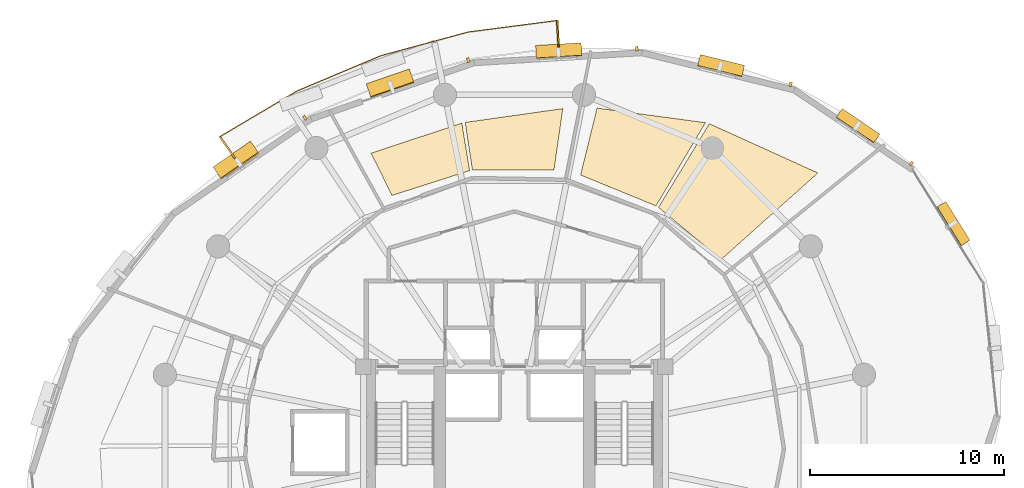
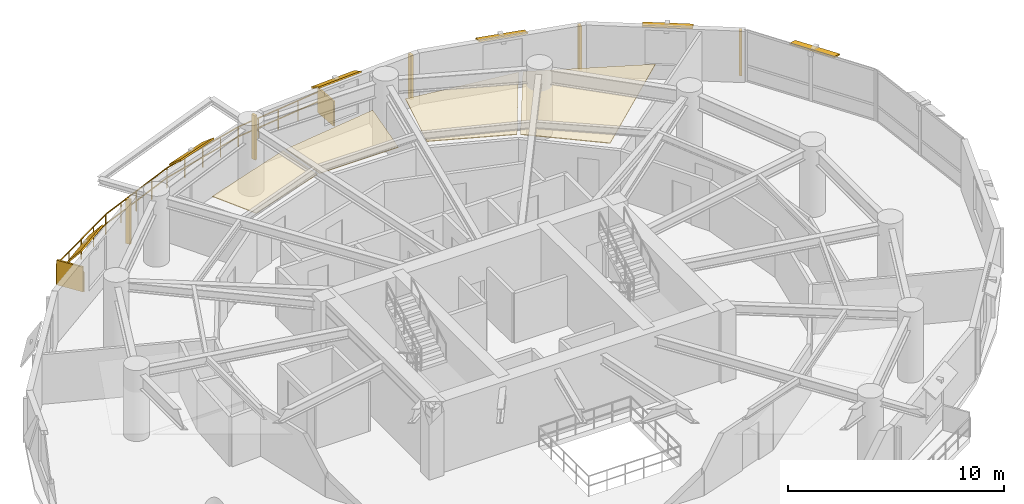
# One storey, part 15 of 15: 13 shading devices, 4 coverings, 1 railing.
"""IFC4 building model written with IfcOpenShell, lengths in metres."""

from ifc_helpers import new_model, si_unit, direction, frame, origin, origin_2d, place, context, subcontext, project, spatial, polyline, rectangle, outline, extrude, material, layer, layer_set, type_object, element, save


model = new_model("IFC4")

# Units and contexts
model_context = context("Model", 3, precision=1e-05, world=origin(), true_north=direction((0.0, 1.0)))
body_context = subcontext(model_context, "Body", "Model", "MODEL_VIEW")
ifc_project = project(units=[si_unit("LENGTHUNIT", "METRE"), si_unit("AREAUNIT", "SQUARE_METRE"), si_unit("VOLUMEUNIT", "CUBIC_METRE"), si_unit("PLANEANGLEUNIT", "RADIAN"), si_unit("MASSUNIT", "GRAM", prefix="KILO"), si_unit("THERMODYNAMICTEMPERATUREUNIT", "KELVIN"), si_unit("POWERUNIT", "WATT")], contexts=[model_context])

# Site, building, storey
site_placement = place(None, origin())
site = spatial("IfcSite", under=ifc_project, at=site_placement, CompositionType="ELEMENT")
building_placement = place(site_placement, origin())
building = spatial("IfcBuilding", under=site, at=building_placement, Name="Ocrelia Relay Tower", CompositionType="ELEMENT")
storey_placement = place(building_placement, frame((0.0, 0.0, 113.800048828125)))
storey = spatial("IfcBuildingStorey", under=building, at=storey_placement, Name="L26", CompositionType="ELEMENT", Elevation=113.800048828125)

# Coverings
ifc_material_1 = material(Name="Mineral-fiber acoustic ceiling tile", Category="gypsum")
ifc_layer_1 = layer(ifc_material_1, 0.0400390625, Name="Mineral-fiber acoustic ceiling tile")
ifc_layer_set_1 = layer_set([ifc_layer_1], Name="Mineral-fiber acoustic ceiling tile")
covering_type_1 = type_object("IfcCoveringType", Name="COV-CEIL-ACOUSTIC", PredefinedType="CEILING", material=ifc_layer_set_1)
covering_1_placement = place(storey_placement, frame((0.0, 0.0, 2.719970703125)))
element("IfcCovering", 1, at=covering_1_placement, inside=storey, type_object=covering_type_1, Name="L26 Technical Briefing Room Suspended Ceiling 1", PredefinedType="CEILING", context=body_context, shape_type="SweptSolid", body=[
    extrude(outline(polyline([(44.67529296875, 35.544677734375), (49.67138671875, 40.011962890625), (44.065185546875, 42.55419921875), (41.439453125, 38.23583984375), (44.67529296875, 35.544677734375)])), origin(), (0.0, 0.0, 1.0), 0.0400390625),
])
covering_2_placement = place(storey_placement, frame((0.0, 0.0, 2.719970703125)))
element("IfcCovering", 2, at=covering_2_placement, inside=storey, type_object=covering_type_1, Name="L26 Technical Briefing Room Suspended Ceiling 2", PredefinedType="CEILING", context=body_context, shape_type="SweptSolid", body=[
    extrude(outline(polyline([(41.31103515625, 38.31298828125), (43.861572265625, 42.60888671875), (38.264404296875, 43.361328125), (37.415771484375, 39.906494140625), (41.31103515625, 38.31298828125)])), origin(), (0.0, 0.0, 1.0), 0.0400390625),
])
ifc_material_2 = material(Name="Cleanroom metal-pan acoustic ceiling", Category="aluminium")
ifc_layer_2 = layer(ifc_material_2, 0.0400390625, Name="Cleanroom metal-pan acoustic ceiling")
ifc_layer_set_2 = layer_set([ifc_layer_2], Name="Cleanroom metal-pan acoustic ceiling")
covering_type_2 = type_object("IfcCoveringType", Name="COV-CEIL-CLEAN", PredefinedType="CEILING", material=ifc_layer_set_2)
covering_3_placement = place(storey_placement, frame((0.0, 0.0, 2.719970703125)))
element("IfcCovering", 3, at=covering_3_placement, inside=storey, type_object=covering_type_2, Name="L26 Photonics Testing Studio Suspended Ceiling 1", PredefinedType="CEILING", context=body_context, shape_type="SweptSolid", body=[
    extrude(outline(polyline([(36.04248046875, 40.173583984375), (36.497802734375, 43.333984375), (31.456298828125, 42.62353515625), (31.833984375, 40.1552734375), (36.04248046875, 40.173583984375)])), origin(), (0.0, 0.0, 1.0), 0.0400390625),
])
covering_4_placement = place(storey_placement, frame((0.0, 0.0, 2.719970703125)))
element("IfcCovering", 4, at=covering_4_placement, inside=storey, type_object=covering_type_2, Name="L26 Photonics Testing Studio Suspended Ceiling 2", PredefinedType="CEILING", context=body_context, shape_type="SweptSolid", body=[
    extrude(outline(polyline([(31.685791015625, 40.1318359375), (31.284423828125, 42.5830078125), (26.6015625, 41.03564453125), (27.677490234375, 38.8486328125), (31.685791015625, 40.1318359375)])), origin(), (0.0, 0.0, 1.0), 0.0400390625),
])

# Railing
ifc_material_3 = material(Name="Steel S355 balustrade", Category="steel")
railing_type = type_object("IfcRailingType", Name="RL-EXT-GUARD-1150", PredefinedType="GUARDRAIL", material=ifc_material_3)
railing_placement = place(storey_placement, frame((19.58203125, 40.744140625, 0.0)))
element("IfcRailing", 5, at=railing_placement, inside=storey, type_object=railing_type, Name="L26 Loggia Balcony Guard Rail B1", PredefinedType="GUARDRAIL", context=body_context, shape_type="SweptSolid", body=[
    extrude(rectangle(XDim=0.048095703125, YDim=0.048095703125, at=origin_2d()), frame((0.0, 0.0, 1.1259765625), z_axis=(-0.568690580372, 0.822551532608, 0.0), x_axis=(-0.822551532608, -0.568690580372, 0.0)), (0.0, 0.0, 1.0), 1.3935546875),
    extrude(rectangle(XDim=0.048095703125, YDim=0.048095703125, at=origin_2d()), frame((0.0, 0.0, 0.574951171875), z_axis=(-0.568690580372, 0.822551532608, 0.0), x_axis=(-0.822551532608, -0.568690580372, 0.0)), (0.0, 0.0, 1.0), 1.3935546875),
    extrude(rectangle(XDim=0.048095703125, YDim=0.048095703125, at=origin_2d()), frame((-0.79248046875, 1.146240234375, 1.1259765625), z_axis=(0.860584227023, 0.509308146606, 0.0), x_axis=(-0.509308146606, 0.860584227023, 0.0)), (0.0, 0.0, 1.0), 2.315673828125),
    extrude(rectangle(XDim=0.048095703125, YDim=0.048095703125, at=origin_2d()), frame((-0.79248046875, 1.146240234375, 0.574951171875), z_axis=(0.860584227023, 0.509308146606, 0.0), x_axis=(-0.509308146606, 0.860584227023, 0.0)), (0.0, 0.0, 1.0), 2.315673828125),
    extrude(rectangle(XDim=0.048095703125, YDim=0.048095703125, at=origin_2d()), frame((1.200439453125, 2.32568359375, 1.1259765625), z_axis=(0.860538017918, 0.509386218618, 0.0), x_axis=(-0.509386218618, 0.860538017918, 0.0)), (0.0, 0.0, 1.0), 2.31591796875),
    extrude(rectangle(XDim=0.048095703125, YDim=0.048095703125, at=origin_2d()), frame((1.200439453125, 2.32568359375, 0.574951171875), z_axis=(0.860538017918, 0.509386218618, 0.0), x_axis=(-0.509386218618, 0.860538017918, 0.0)), (0.0, 0.0, 1.0), 2.31591796875),
    extrude(rectangle(XDim=0.048095703125, YDim=0.048095703125, at=origin_2d()), frame((3.193359375, 3.50537109375, 1.1259765625), z_axis=(0.921600037821, 0.388140915504, 0.0), x_axis=(-0.388140915504, 0.921600037821, 0.0)), (0.0, 0.0, 1.0), 4.682373046875),
    extrude(rectangle(XDim=0.048095703125, YDim=0.048095703125, at=origin_2d()), frame((3.193359375, 3.50537109375, 0.574951171875), z_axis=(0.921600037821, 0.388140915504, 0.0), x_axis=(-0.388140915504, 0.921600037821, 0.0)), (0.0, 0.0, 1.0), 4.682373046875),
    extrude(rectangle(XDim=0.048095703125, YDim=0.048095703125, at=origin_2d()), frame((7.508544921875, 5.32275390625, 1.1259765625), z_axis=(0.96520169738, 0.261506564687, 0.0), x_axis=(-0.261506564687, 0.96520169738, 0.0)), (0.0, 0.0, 1.0), 4.681884765625),
    extrude(rectangle(XDim=0.048095703125, YDim=0.048095703125, at=origin_2d()), frame((7.508544921875, 5.32275390625, 0.574951171875), z_axis=(0.96520169738, 0.261506564687, 0.0), x_axis=(-0.261506564687, 0.96520169738, 0.0)), (0.0, 0.0, 1.0), 4.681884765625),
    extrude(rectangle(XDim=0.048095703125, YDim=0.048095703125, at=origin_2d()), frame((12.027587890625, 6.547119140625, 1.1259765625), z_axis=(0.991721660373, 0.128406185004, 0.0), x_axis=(-0.128406185004, 0.991721660373, 0.0)), (0.0, 0.0, 1.0), 2.31591796875),
    extrude(rectangle(XDim=0.048095703125, YDim=0.048095703125, at=origin_2d()), frame((12.027587890625, 6.547119140625, 0.574951171875), z_axis=(0.991721660373, 0.128406185004, 0.0), x_axis=(-0.128406185004, 0.991721660373, 0.0)), (0.0, 0.0, 1.0), 2.31591796875),
    extrude(rectangle(XDim=0.048095703125, YDim=0.048095703125, at=origin_2d()), frame((14.32421875, 6.844482421875, 1.1259765625), z_axis=(0.991708230131, 0.128509868452, 0.0), x_axis=(-0.128509868452, 0.991708230131, 0.0)), (0.0, 0.0, 1.0), 2.31591796875),
    extrude(rectangle(XDim=0.048095703125, YDim=0.048095703125, at=origin_2d()), frame((14.32421875, 6.844482421875, 0.574951171875), z_axis=(0.991708230131, 0.128509868452, 0.0), x_axis=(-0.128509868452, 0.991708230131, 0.0)), (0.0, 0.0, 1.0), 2.31591796875),
    extrude(rectangle(XDim=0.048095703125, YDim=0.048095703125, at=origin_2d()), frame((16.620849609375, 7.14208984375, 1.1259765625), z_axis=(0.058342012253, -0.99829665411, 0.0), x_axis=(0.99829665411, 0.058342012253, 0.0)), (0.0, 0.0, 1.0), 1.3935546875),
    extrude(rectangle(XDim=0.048095703125, YDim=0.048095703125, at=origin_2d()), frame((16.620849609375, 7.14208984375, 0.574951171875), z_axis=(0.058342012253, -0.99829665411, 0.0), x_axis=(0.99829665411, 0.058342012253, 0.0)), (0.0, 0.0, 1.0), 1.3935546875),
    extrude(rectangle(XDim=0.0419921875, YDim=0.0419921875, at=origin_2d()), origin(), (0.0, 0.0, 1.0), 1.101806640625),
    extrude(rectangle(XDim=0.0419921875, YDim=0.0419921875, at=origin_2d()), frame((-0.396240234375, 0.5732421875, 0.0)), (0.0, 0.0, 1.0), 1.101806640625),
    extrude(rectangle(XDim=0.0419921875, YDim=0.0419921875, at=origin_2d()), frame((-0.79248046875, 1.146240234375, 0.0)), (0.0, 0.0, 1.0), 1.101806640625),
    extrude(rectangle(XDim=0.0419921875, YDim=0.0419921875, at=origin_2d()), frame((0.2041015625, 1.73583984375, 0.0)), (0.0, 0.0, 1.0), 1.101806640625),
    extrude(rectangle(XDim=0.0419921875, YDim=0.0419921875, at=origin_2d()), frame((1.200439453125, 2.32568359375, 0.0)), (0.0, 0.0, 1.0), 1.101806640625),
    extrude(rectangle(XDim=0.0419921875, YDim=0.0419921875, at=origin_2d()), frame((2.19677734375, 2.91552734375, 0.0)), (0.0, 0.0, 1.0), 1.101806640625),
    extrude(rectangle(XDim=0.0419921875, YDim=0.0419921875, at=origin_2d()), frame((3.193359375, 3.50537109375, 0.0)), (0.0, 0.0, 1.0), 1.101806640625),
    extrude(rectangle(XDim=0.0419921875, YDim=0.0419921875, at=origin_2d()), frame((4.272216796875, 3.959716796875, 0.0)), (0.0, 0.0, 1.0), 1.101806640625),
    extrude(rectangle(XDim=0.0419921875, YDim=0.0419921875, at=origin_2d()), frame((5.35107421875, 4.4140625, 0.0)), (0.0, 0.0, 1.0), 1.101806640625),
    extrude(rectangle(XDim=0.0419921875, YDim=0.0419921875, at=origin_2d()), frame((6.4296875, 4.868408203125, 0.0)), (0.0, 0.0, 1.0), 1.101806640625),
    extrude(rectangle(XDim=0.0419921875, YDim=0.0419921875, at=origin_2d()), frame((7.508544921875, 5.32275390625, 0.0)), (0.0, 0.0, 1.0), 1.101806640625),
    extrude(rectangle(XDim=0.0419921875, YDim=0.0419921875, at=origin_2d()), frame((8.63818359375, 5.62890625, 0.0)), (0.0, 0.0, 1.0), 1.101806640625),
    extrude(rectangle(XDim=0.0419921875, YDim=0.0419921875, at=origin_2d()), frame((9.76806640625, 5.93505859375, 0.0)), (0.0, 0.0, 1.0), 1.101806640625),
    extrude(rectangle(XDim=0.0419921875, YDim=0.0419921875, at=origin_2d()), frame((10.89794921875, 6.240966796875, 0.0)), (0.0, 0.0, 1.0), 1.101806640625),
    extrude(rectangle(XDim=0.0419921875, YDim=0.0419921875, at=origin_2d()), frame((12.027587890625, 6.547119140625, 0.0)), (0.0, 0.0, 1.0), 1.101806640625),
    extrude(rectangle(XDim=0.0419921875, YDim=0.0419921875, at=origin_2d()), frame((13.17578125, 6.69580078125, 0.0)), (0.0, 0.0, 1.0), 1.101806640625),
    extrude(rectangle(XDim=0.0419921875, YDim=0.0419921875, at=origin_2d()), frame((14.32421875, 6.844482421875, 0.0)), (0.0, 0.0, 1.0), 1.101806640625),
    extrude(rectangle(XDim=0.0419921875, YDim=0.0419921875, at=origin_2d()), frame((15.47265625, 6.9931640625, 0.0)), (0.0, 0.0, 1.0), 1.101806640625),
    extrude(rectangle(XDim=0.0419921875, YDim=0.0419921875, at=origin_2d()), frame((16.620849609375, 7.14208984375, 0.0)), (0.0, 0.0, 1.0), 1.101806640625),
    extrude(rectangle(XDim=0.0419921875, YDim=0.0419921875, at=origin_2d()), frame((16.66162109375, 6.446533203125, 0.0)), (0.0, 0.0, 1.0), 1.101806640625),
    extrude(rectangle(XDim=0.0419921875, YDim=0.0419921875, at=origin_2d()), frame((16.7021484375, 5.7509765625, 0.0)), (0.0, 0.0, 1.0), 1.101806640625),
])

# Shading devices
ifc_material_4 = material(Name="Perforated oxide terracotta solar screen", Category="masonry")
ifc_layer_3 = layer(ifc_material_4, 0.090087890625, Name="Perforated oxide terracotta solar screen")
ifc_layer_set_3 = layer_set([ifc_layer_3], Name="Perforated oxide terracotta solar screen")
shading_device_type_1 = type_object("IfcShadingDeviceType", Name="SH-BALC-SCREEN", PredefinedType="USERDEFINED", material=ifc_layer_set_3)
for number, where, z_axis, x_axis, name in (
    (6, (36.243408203125, 47.190673828125, 0.0), (0.0, 0.0, 1.0), (-0.058343405471, 0.998296572687, 0.0), "L26 Balcony Perforated Terracotta Screen B1-1"),
    (7, (19.185791015625, 41.3173828125, 0.0), (0.0, 0.0, 1.0), (-0.568631447089, 0.82259241267, 0.0), "L26 Balcony Perforated Terracotta Screen B1-2"),
):
    element("IfcShadingDevice", number, at=place(storey_placement, frame(where, z_axis=z_axis, x_axis=x_axis)), inside=storey, type_object=shading_device_type_1, Name=name, ObjectType="SCREEN", PredefinedType="USERDEFINED", context=body_context, shape_type="SweptSolid", body=[
        extrude(rectangle(XDim=1.340087890625, YDim=0.090087890625, at=origin_2d()), origin(), (0.0, 0.0, 1.0), 1.39990234375),
    ])
ifc_material_5 = material(Name="Extruded oxide terracotta vertical baguette", Category="masonry")
shading_device_type_2 = type_object("IfcShadingDeviceType", Name="SH-TERR-BAGUETTE", PredefinedType="USERDEFINED", material=ifc_material_5)
for number, where, z_axis, x_axis, name in (
    (8, (54.492431640625, 40.4951171875, 0.199951171875), (0.0, 0.0, 1.0), (-0.829226580971, 0.558912584767, 0.0), "L26 Oxide Terracotta Vertical Baguette 02"),
    (9, (48.261962890625, 44.577392578125, 0.199951171875), (0.0, 0.0, 1.0), (-0.971474750883, 0.237143012539, 0.0), "L26 Oxide Terracotta Vertical Baguette 03"),
    (10, (40.322998046875, 46.431884765625, 0.199951171875), (0.0, 0.0, 1.0), (-0.998209970395, -0.059806814021, 0.0), "L26 Oxide Terracotta Vertical Baguette 04"),
    (11, (31.6171875, 45.837158203125, 0.199951171875), (0.0, 0.0, 1.0), (-0.945517039976, -0.325572614197, 0.0), "L26 Oxide Terracotta Vertical Baguette 05"),
    (12, (23.1845703125, 42.8564453125, 0.199951171875), (0.0, 0.0, 1.0), (-0.823426792688, -0.567422520777, 0.0), "L26 Oxide Terracotta Vertical Baguette 06"),
):
    element("IfcShadingDevice", number, at=place(storey_placement, frame(where, z_axis=z_axis, x_axis=x_axis)), inside=storey, type_object=shading_device_type_2, Name=name, ObjectType="BAGUETTE", PredefinedType="USERDEFINED", context=body_context, shape_type="SweptSolid", body=[
        extrude(rectangle(XDim=0.139892578125, YDim=0.239990234375, at=origin_2d()), origin(), (0.0, 0.0, 1.0), 2.5),
    ])
ifc_material_6 = material(Name="Extruded oxide terracotta fin", Category="masonry")
ifc_layer_4 = layer(ifc_material_6, 0.080078125, Name="Extruded oxide terracotta fin")
ifc_layer_set_4 = layer_set([ifc_layer_4], Name="Extruded oxide terracotta fin")
shading_device_type_3 = type_object("IfcShadingDeviceType", Name="SH-VISOR-FIN-MED", PredefinedType="USERDEFINED", material=ifc_layer_set_4)
shading_device_1_placement = place(storey_placement, frame((27.589111328125, 44.6181640625, 2.708984375), z_axis=(-0.207045799724, 0.601295450407, 0.771735588227), x_axis=(-0.945517039976, -0.325572614197, 0.0)))
element("IfcShadingDevice", 13, at=shading_device_1_placement, inside=storey, type_object=shading_device_type_3, Name="L26 Canted Terracotta Sun-Visor Fin 05", ObjectType="FIN", PredefinedType="USERDEFINED", context=body_context, shape_type="SweptSolid", body=[
    extrude(rectangle(XDim=2.35009765625, YDim=0.907958984375, at=origin_2d()), origin(), (0.0, 0.0, 1.0), 0.080078125),
])
shading_device_2_placement = place(storey_placement, frame((19.635009765625, 40.6484375, 2.71435546875), z_axis=(-0.434543526919, 0.630596723874, 0.643054970475), x_axis=(-0.823426792688, -0.567422520777, 0.0)))
element("IfcShadingDevice", 14, at=shading_device_2_placement, inside=storey, type_object=shading_device_type_3, Name="L26 Canted Terracotta Sun-Visor Fin 06", ObjectType="FIN", PredefinedType="USERDEFINED", context=body_context, shape_type="SweptSolid", body=[
    extrude(rectangle(XDim=2.35009765625, YDim=1.0830078125, at=origin_2d()), origin(), (0.0, 0.0, 1.0), 0.080078125),
])
ifc_layer_5 = layer(ifc_material_6, 0.080078125, Name="Extruded oxide terracotta fin")
ifc_layer_set_5 = layer_set([ifc_layer_5], Name="Extruded oxide terracotta fin")
shading_device_type_4 = type_object("IfcShadingDeviceType", Name="SH-VISOR-FIN-SHAL", PredefinedType="USERDEFINED", material=ifc_layer_set_5)
shading_device_3_placement = place(storey_placement, frame((56.654296875, 37.38671875, 2.701904296875), z_axis=(0.262289106289, 0.163702596363, 0.95100256817), x_axis=(-0.529468330311, 0.8483297043, 0.0)))
element("IfcShadingDevice", 15, at=shading_device_3_placement, inside=storey, type_object=shading_device_type_4, Name="L26 Canted Terracotta Sun-Visor Fin 01", ObjectType="FIN", PredefinedType="USERDEFINED", context=body_context, shape_type="SweptSolid", body=[
    extrude(rectangle(XDim=2.35009765625, YDim=0.550048828125, at=origin_2d()), origin(), (0.0, 0.0, 1.0), 0.080078125),
])
shading_device_4_placement = place(storey_placement, frame((51.728515625, 42.439697265625, 2.7021484375), z_axis=(0.18334702445, 0.272021475915, 0.944663000898), x_axis=(-0.829226580971, 0.558912584767, 0.0)))
element("IfcShadingDevice", 16, at=shading_device_4_placement, inside=storey, type_object=shading_device_type_4, Name="L26 Canted Terracotta Sun-Visor Fin 02", ObjectType="FIN", PredefinedType="USERDEFINED", context=body_context, shape_type="SweptSolid", body=[
    extrude(rectangle(XDim=2.35009765625, YDim=0.569091796875, at=origin_2d()), origin(), (0.0, 0.0, 1.0), 0.080078125),
])
shading_device_5_placement = place(storey_placement, frame((44.665771484375, 45.53662109375, 2.703125), z_axis=(0.091438549516, 0.374585112842, 0.92267273987), x_axis=(-0.971474750883, 0.237143012539, 0.0)))
element("IfcShadingDevice", 17, at=shading_device_5_placement, inside=storey, type_object=shading_device_type_4, Name="L26 Canted Terracotta Sun-Visor Fin 03", ObjectType="FIN", PredefinedType="USERDEFINED", context=body_context, shape_type="SweptSolid", body=[
    extrude(rectangle(XDim=2.35009765625, YDim=0.6279296875, at=origin_2d()), origin(), (0.0, 0.0, 1.0), 0.080078125),
])
shading_device_6_placement = place(storey_placement, frame((36.2900390625, 46.302734375, 2.705078125), z_axis=(-0.029441198833, 0.491390466057, 0.870441626808), x_axis=(-0.998209970395, -0.059806814021, 0.0)))
element("IfcShadingDevice", 18, at=shading_device_6_placement, inside=storey, type_object=shading_device_type_4, Name="L26 Canted Terracotta Sun-Visor Fin 04", ObjectType="FIN", PredefinedType="USERDEFINED", context=body_context, shape_type="SweptSolid", body=[
    extrude(rectangle(XDim=2.35009765625, YDim=0.740966796875, at=origin_2d()), origin(), (0.0, 0.0, 1.0), 0.080078125),
])

save(model, "model.ifc")
